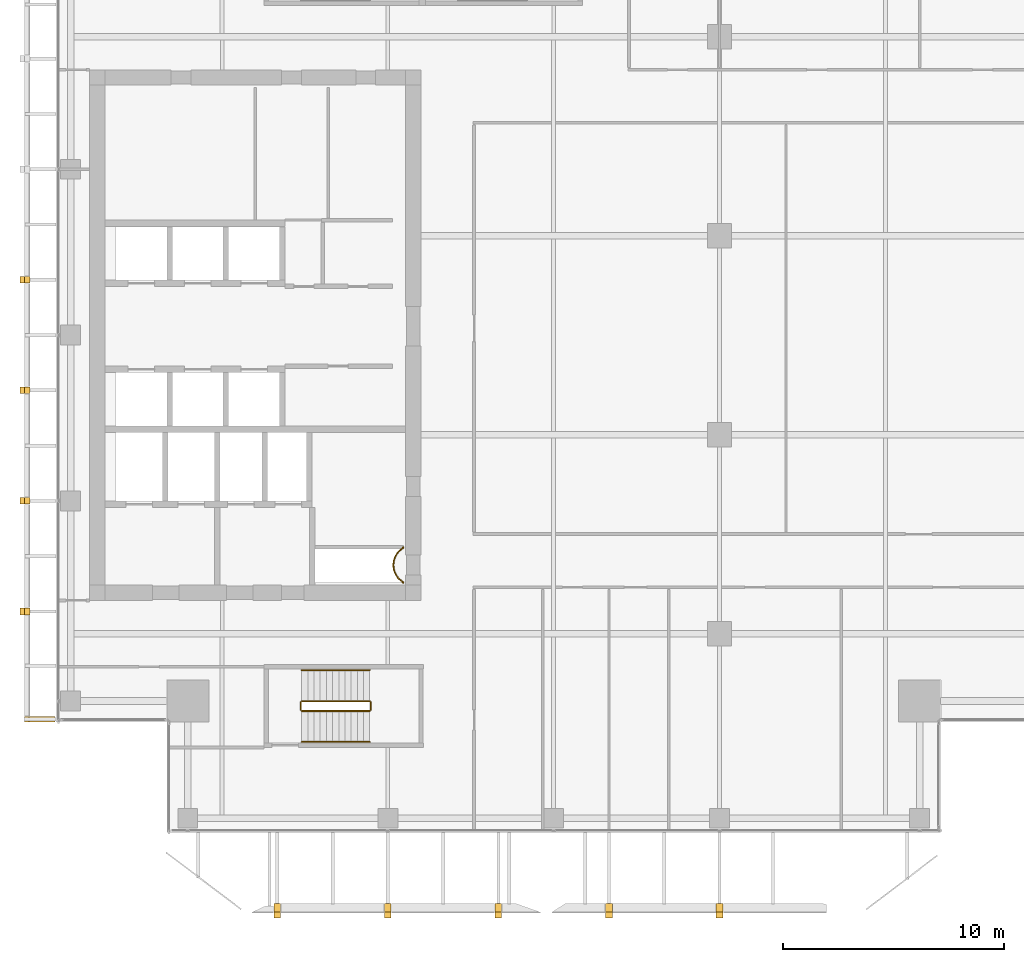
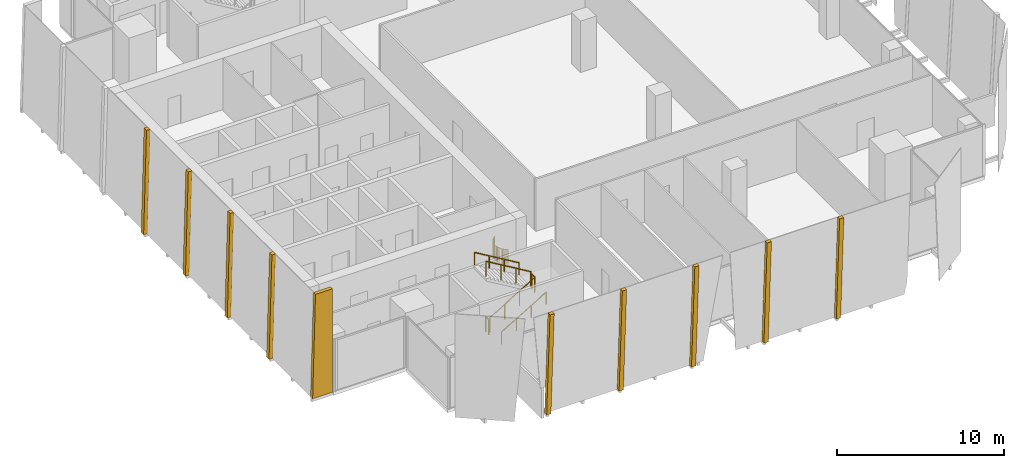
# One storey, part 32 of 35: 10 coverings, 7 railings.
"""IFC4 building model written with IfcOpenShell, lengths in metres."""

import ifcopenshell
import ifcopenshell.guid

model = None  # the IFC model being written
_history = None  # IfcOwnerHistory: only IFC2X3 demands one
_inside = {}  # id of a spatial element -> (the spatial element, [elements in it])
_under = {}  # id of a project, library or spatial element -> (it, [spatial elements below it])
_declared = {}  # id of a project -> (the project, [libraries it declares])
_typed = {}  # id of a type object -> (the type object, [elements of that type])
_made_of = {}  # id of a material, layer set ... -> (it, [elements and type objects made of it])


def new_model(schema):
    """Start an empty IFC model of exactly this schema.

    Asked for "IFC4X3", IfcOpenShell would pick the latest addendum, in which some entities
    have other attributes; the version numbers below select the first issue.
    IFC2X3 requires an IfcOwnerHistory on every rooted entity: one is made here for all.
    """
    global model, _history
    if schema == "IFC4X3":
        model = ifcopenshell.file(schema_version=(4, 3, 0, 0))
    else:
        model = ifcopenshell.file(schema=schema)
    _inside.clear()
    _under.clear()
    _declared.clear()
    _typed.clear()
    _made_of.clear()
    _history = None
    if model.schema == "IFC2X3":
        org = make("IfcOrganization", Name="unknown")
        user = make(
            "IfcPersonAndOrganization",
            ThePerson=make("IfcPerson", FamilyName="unknown"),
            TheOrganization=org,
        )
        app = make(
            "IfcApplication",
            ApplicationDeveloper=org,
            Version="unknown",
            ApplicationFullName="unknown",
            ApplicationIdentifier="unknown",
        )
        _history = make(
            "IfcOwnerHistory",
            OwningUser=user,
            OwningApplication=app,
            ChangeAction="ADDED",
            CreationDate=0,
        )
    return model


def make(cls, **values):
    """One entity of the class cls with the attributes given. An attribute that is None is left unset."""
    return model.create_entity(
        cls, **{name: value for name, value in values.items() if value is not None}
    )


def rooted(cls, **values):
    """An entity with a GlobalId (a new one), such as an element, a storey or a relation."""
    return make(cls, GlobalId=ifcopenshell.guid.new(), OwnerHistory=_history, **values)


def si_unit(unit_type, name, prefix=None):
    """IfcSIUnit, for example si_unit("LENGTHUNIT", "METRE", prefix="MILLI")."""
    return make("IfcSIUnit", UnitType=unit_type, Prefix=prefix, Name=name)


def assignment(units):
    """IfcUnitAssignment: the units of a project."""
    return None if units is None else make("IfcUnitAssignment", Units=units)


def point(xyz):
    """IfcCartesianPoint."""
    return None if xyz is None else make("IfcCartesianPoint", Coordinates=xyz)


def direction(xyz):
    """IfcDirection."""
    return None if xyz is None else make("IfcDirection", DirectionRatios=xyz)


def frame(location, z_axis=None, x_axis=None):
    """IfcAxis2Placement3D, a coordinate frame: its origin and axes. An axis left out is left unset."""
    return make(
        "IfcAxis2Placement3D",
        Location=point(location),
        Axis=direction(z_axis),
        RefDirection=direction(x_axis),
    )


def frame_2d(location, x_axis=None):
    """IfcAxis2Placement2D, a coordinate frame in the plane: its origin and x axis."""
    return make(
        "IfcAxis2Placement2D", Location=point(location), RefDirection=direction(x_axis)
    )


def origin():
    """The frame at (0, 0, 0) with its axes left unset."""
    return frame((0.0, 0.0, 0.0))


def origin_2d():
    """The frame at (0, 0) in the plane with its x axis left unset."""
    return frame_2d((0.0, 0.0))


def place(relative_to, where):
    """IfcLocalPlacement: puts the frame where relative to a parent placement (None: the world)."""
    return make(
        "IfcLocalPlacement", PlacementRelTo=relative_to, RelativePlacement=where
    )


def context(
    kind, dimensions, precision=None, world=None, true_north=None, identifier=None
):
    """IfcGeometricRepresentationContext, for example the 3D "Model" context."""
    return make(
        "IfcGeometricRepresentationContext",
        ContextIdentifier=identifier,
        ContextType=kind,
        CoordinateSpaceDimension=dimensions,
        Precision=precision,
        WorldCoordinateSystem=world,
        TrueNorth=true_north,
    )


def subcontext(parent, identifier, kind, view, scale=None):
    """IfcGeometricRepresentationSubContext, for example "Body" below "Model"."""
    return make(
        "IfcGeometricRepresentationSubContext",
        ContextIdentifier=identifier,
        ContextType=kind,
        ParentContext=parent,
        TargetScale=scale,
        TargetView=view,
    )


def project(units=None, contexts=None):
    """IfcProject with its units and contexts."""
    return rooted(
        "IfcProject",
        Name="project",
        RepresentationContexts=contexts,
        UnitsInContext=assignment(units),
    )


def spatial(cls, under=None, at=None, **own):
    """A site, building, storey or space (cls), placed at a placement, below another one or the project."""
    s = rooted(cls, ObjectPlacement=at, **own)
    if under is not None:
        _under.setdefault(under.id(), (under, []))[1].append(s)
    return s


def polyline(points):
    """IfcPolyline through the points."""
    return make("IfcPolyline", Points=[point(p) for p in points])


def profile(cls, at=None, kind="AREA", **sizes):
    """A parametric profile (cls). Its sizes go by their IFC names, for example OverallWidth=200.0."""
    return make(cls, ProfileType=kind, Position=at, **sizes)


def circle(**sizes):
    """IfcCircleProfileDef."""
    return profile("IfcCircleProfileDef", **sizes)


def outline(outer, holes=None, kind="AREA"):
    """IfcArbitraryClosedProfileDef: a profile drawn as a closed curve; with holes, ...WithVoids."""
    if holes is None:
        return make("IfcArbitraryClosedProfileDef", ProfileType=kind, OuterCurve=outer)
    return make(
        "IfcArbitraryProfileDefWithVoids",
        ProfileType=kind,
        OuterCurve=outer,
        InnerCurves=holes,
    )


def extrude(swept, where, along, depth):
    """IfcExtrudedAreaSolid: the profile swept, set in the frame where, extruded along a direction by depth."""
    return make(
        "IfcExtrudedAreaSolid",
        SweptArea=swept,
        Position=where,
        ExtrudedDirection=direction(along),
        Depth=depth,
    )


def shape(context_of_items, identifier, shape_type, items):
    """IfcShapeRepresentation: the items that make up one representation, for example the "Body"."""
    return make(
        "IfcShapeRepresentation",
        ContextOfItems=context_of_items,
        RepresentationIdentifier=identifier,
        RepresentationType=shape_type,
        Items=items,
    )


def source(mapping_origin, context_of_items, identifier, shape_type, items):
    """IfcRepresentationMap: a shape defined once, which mapped items show again and again."""
    return make(
        "IfcRepresentationMap",
        MappingOrigin=mapping_origin,
        MappedRepresentation=shape(context_of_items, identifier, shape_type, items),
    )


def transform(
    local_origin,
    x_axis=None,
    y_axis=None,
    z_axis=None,
    scale=None,
    scale2=None,
    scale3=None,
    uniform=True,
):
    """IfcCartesianTransformationOperator3D, or its non-uniform kind. x_axis, y_axis, z_axis: its Axis1, 2, 3."""
    if uniform:
        return make(
            "IfcCartesianTransformationOperator3D",
            Axis1=direction(x_axis),
            Axis2=direction(y_axis),
            LocalOrigin=point(local_origin),
            Scale=scale,
            Axis3=direction(z_axis),
        )
    return make(
        "IfcCartesianTransformationOperator3DnonUniform",
        Axis1=direction(x_axis),
        Axis2=direction(y_axis),
        LocalOrigin=point(local_origin),
        Scale=scale,
        Axis3=direction(z_axis),
        Scale2=scale2,
        Scale3=scale3,
    )


def mapped(mapping_source, mapping_target):
    """IfcMappedItem: shows the shape of a source again, moved by a transform."""
    return make(
        "IfcMappedItem", MappingSource=mapping_source, MappingTarget=mapping_target
    )


def material(Name=None, Category=None):
    """IfcMaterial."""
    return make("IfcMaterial", Name=Name, Category=Category)


def layer(
    of_material, thickness, ventilated=None, Name=None, Category=None, Priority=None
):
    """IfcMaterialLayer: one layer of a wall or slab, of a material (None: an air gap)."""
    return make(
        "IfcMaterialLayer",
        Material=of_material,
        LayerThickness=thickness,
        IsVentilated=ventilated,
        Name=Name,
        Category=Category,
        Priority=Priority,
    )


def layer_set(layers, Name=None):
    """IfcMaterialLayerSet."""
    return make("IfcMaterialLayerSet", MaterialLayers=layers, LayerSetName=Name)


def made_of(thing, what):
    """Note that an element or type object is made of a material, layer set ...; save() writes the relation."""
    if what is not None:
        _made_of.setdefault(what.id(), (what, []))[1].append(thing)
    return thing


def type_object(cls, material=None, **own):
    """A type object (cls), such as IfcWallType, which elements share."""
    return made_of(rooted(cls, **own), material)


def element(
    cls,
    number,
    at=None,
    inside=None,
    cuts=None,
    type_object=None,
    material=None,
    context=None,
    identifier="Body",
    shape_type=None,
    held_by="IfcProductDefinitionShape",
    body=None,
    shapes=None,
    **own,
):
    """One element of the class cls, such as IfcWall. Its Tag is "e" and its number.

    at: its placement. inside: the storey or other place that contains it. cuts: it is an
    opening in that element (IfcRelVoidsElement). A single representation is given by context,
    identifier, shape_type and body (its items); several are given by shapes. held_by: the class
    of the entity that holds the representations. save() writes the other relations.
    """
    e = rooted(cls, Tag="e%d" % number, ObjectPlacement=at, **own)
    if body is not None:
        shapes = [shape(context, identifier, shape_type, body)]
    if shapes is not None:
        e.Representation = make(held_by, Representations=shapes)
    if inside is not None:
        _inside.setdefault(inside.id(), (inside, []))[1].append(e)
    if cuts is not None:
        rooted(
            "IfcRelVoidsElement", RelatingBuildingElement=cuts, RelatedOpeningElement=e
        )
    if type_object is not None:
        _typed.setdefault(type_object.id(), (type_object, []))[1].append(e)
    return made_of(e, material)


def aggregate(whole, parts):
    """IfcRelAggregates: a whole, such as a stair, and the parts it consists of."""
    return rooted("IfcRelAggregates", RelatingObject=whole, RelatedObjects=parts)


def save(model, path):
    """Write the relations noted so far, then the file.

    IfcRelAggregates (storeys below a building ...), IfcRelContainedInSpatialStructure (elements
    in a storey), IfcRelDefinesByType, IfcRelAssociatesMaterial and IfcRelDeclares: one each for
    every whole, place, type object, material and project.
    """
    for whole, parts in _under.values():
        aggregate(whole, parts)
    for where, things in _inside.values():
        rooted(
            "IfcRelContainedInSpatialStructure",
            RelatedElements=things,
            RelatingStructure=where,
        )
    for kind, things in _typed.values():
        rooted("IfcRelDefinesByType", RelatedObjects=things, RelatingType=kind)
    for what, things in _made_of.values():
        rooted("IfcRelAssociatesMaterial", RelatedObjects=things, RelatingMaterial=what)
    for by, libraries in _declared.values():
        rooted("IfcRelDeclares", RelatingContext=by, RelatedDefinitions=libraries)
    model.write(path)


model = new_model("IFC4")

# Units and contexts
model_context = context("Model", 3, precision=1e-05, world=origin(), true_north=direction((0.0, 1.0)))
body_context = subcontext(model_context, "Body", "Model", "MODEL_VIEW")
ifc_project = project(units=[si_unit("LENGTHUNIT", "METRE"), si_unit("AREAUNIT", "SQUARE_METRE"), si_unit("VOLUMEUNIT", "CUBIC_METRE"), si_unit("PLANEANGLEUNIT", "RADIAN"), si_unit("MASSUNIT", "GRAM", prefix="KILO")], contexts=[model_context])

# Site, building, storey
site_placement = place(None, origin())
site = spatial("IfcSite", under=ifc_project, at=site_placement, CompositionType="ELEMENT")
building_placement = place(site_placement, origin())
building = spatial("IfcBuilding", under=site, at=building_placement, Name="Khomas Fold Tower", CompositionType="ELEMENT")
storey_placement = place(building_placement, frame((0.0, 0.0, 266.199951171875)))
storey = spatial("IfcBuildingStorey", under=building, at=storey_placement, Name="L60", CompositionType="ELEMENT", Elevation=266.199951171875)

# Coverings
ifc_material_1 = material(Name="Natural stone cladding", Category="masonry")
ifc_layer = layer(ifc_material_1, 0.25)
ifc_layer_set = layer_set([ifc_layer], Name="Natural stone cladding")
covering_type = type_object("IfcCoveringType", Name="SK-Karibib marble stone mullion", PredefinedType="CLADDING", material=ifc_layer_set)
for number, where, z_axis, x_axis, name in (
    (1, (14.35009765625, 1.2939453125, 0.0), (0.0, 0.998630733741, 0.052313073198), (0.0, -0.052313073198, 0.998630733741), "OUTER SKIN mullion L60 SM099-3"),
    (2, (19.35009765625, 1.2939453125, 0.0), (0.0, 0.998630733741, 0.052313073198), (0.0, -0.052313073198, 0.998630733741), "OUTER SKIN mullion L60 SM100-5"),
    (3, (24.35009765625, 1.2939453125, 0.0), (0.0, 0.998630733741, 0.052313073198), (0.0, -0.052313073198, 0.998630733741), "OUTER SKIN mullion L60 SM101-7"),
    (4, (29.35009765625, 1.2939453125, 0.0), (0.0, 0.998630733741, 0.052313073198), (0.0, -0.052313073198, 0.998630733741), "OUTER SKIN mullion L60 SM102-10"),
    (5, (34.35009765625, 1.2939453125, 0.0), (0.0, 0.998630733741, 0.052313073198), (0.0, -0.052313073198, 0.998630733741), "OUTER SKIN mullion L60 SM103-12"),
):
    element("IfcCovering", number, at=place(storey_placement, frame(where, z_axis=z_axis, x_axis=x_axis)), inside=storey, type_object=covering_type, Name=name, PredefinedType="CLADDING", context=body_context, shape_type="SweptSolid", body=[
        extrude(outline(polyline([(0.0, 0.0), (7.560401030158403, 0.0), (7.560401030158403, 0.29980468750000006), (0.0, 0.29980468750000006), (0.0, 0.0)])), origin(), (0.0, 0.0, -1.0), 0.25),
    ])
for number, where, z_axis, x_axis, name in (
    (6, (2.86279296875, 14.35009765625, 0.006591796875), (-0.99965715546, 0.0, 0.026183421048), (0.0, 1.0, 0.0), "OUTER SKIN mullion L60 W2"),
    (7, (2.86279296875, 19.35009765625, 0.006591796875), (-0.99965715546, 0.0, 0.026183421048), (0.0, 1.0, 0.0), "OUTER SKIN mullion L60 W4"),
    (8, (2.86279296875, 24.35009765625, 0.006591796875), (-0.99965715546, 0.0, 0.026183421048), (0.0, 1.0, 0.0), "OUTER SKIN mullion L60 W6"),
    (9, (2.86279296875, 29.35009765625, 0.006591796875), (-0.99965715546, 0.0, 0.026183421048), (0.0, 1.0, 0.0), "OUTER SKIN mullion L60 W8"),
):
    element("IfcCovering", number, at=place(storey_placement, frame(where, z_axis=z_axis, x_axis=x_axis)), inside=storey, type_object=covering_type, Name=name, PredefinedType="CLADDING", context=body_context, shape_type="SweptSolid", body=[
        extrude(outline(polyline([(0.0, 0.0), (0.2998046875, 0.0), (0.2998046875, -7.552638208898188), (0.0, -7.552638208898188), (0.0, 0.0)])), origin(), (0.0, 0.0, -1.0), 0.25),
    ])
covering_placement = place(storey_placement, frame((4.449951171875, 9.5, 7.550048828125), z_axis=(0.0, -1.0, 0.0), x_axis=(-1.0, 0.0, 0.0)))
element("IfcCovering", 10, at=covering_placement, inside=storey, type_object=covering_type, Name="OUTER SKIN return L60 W1", PredefinedType="CLADDING", context=body_context, shape_type="SweptSolid", body=[
    extrude(outline(polyline([(0.0, 0.0), (1.179443359375, 0.0), (1.377197265625, 7.550048828125), (0.0, 7.550048828125), (0.0, 0.0)])), origin(), (0.0, 0.0, -1.0), 0.25),
])

# Railings
ifc_material_2 = material(Name="Steel balustrade", Category="steel")
railing_type_1 = type_object("IfcRailingType", Name="Stair guard", PredefinedType="GUARDRAIL", material=ifc_material_2)
shared_shape_1 = source(origin(), body_context, "Body", "SweptSolid", [
    extrude(circle(Radius=0.02392578125, at=origin_2d()), frame((0.0, 0.0, 1.076171875), z_axis=(0.0, 1.0, 0.0), x_axis=(-1.0, 0.0, 0.0)), (0.0, 0.0, 1.0), 0.349853515625),
    extrude(circle(Radius=0.02099609375, at=origin_2d()), origin(), (0.0, 0.0, 1.0), 1.052001953125),
    extrude(circle(Radius=0.02099609375, at=origin_2d()), frame((0.0, 0.349853515625, 0.0)), (0.0, 0.0, 1.0), 1.052001953125),
])
for number, where, name in (
    (11, (18.72998046875, 10.050048828125, 2.0), "L60 ST2 stair guard 2"),
    (12, (15.550048828125, 10.050048828125, 0.0), "L60 ST2 stair guard 4"),
):
    element("IfcRailing", number, at=place(storey_placement, frame(where)), inside=storey, type_object=railing_type_1, Name=name, PredefinedType="GUARDRAIL", context=body_context, shape_type="MappedRepresentation", body=[
        mapped(shared_shape_1, transform((0.0, 0.0, 0.0))),
    ])
shared_shape_2 = source(origin(), body_context, "Body", "SweptSolid", [
    extrude(circle(Radius=0.02392578125, at=origin_2d()), frame((0.0, 0.0, 1.076171875), z_axis=(0.859290745958, 0.0, 0.51148745235), x_axis=(0.0, 1.0, 0.0)), (0.0, 0.0, 1.0), 3.584228515625),
    extrude(circle(Radius=0.02099609375, at=origin_2d()), origin(), (0.0, 0.0, 1.0), 1.052001953125),
    extrude(circle(Radius=0.02099609375, at=origin_2d()), frame((1.026611328125, 0.0, 0.611083984375)), (0.0, 0.0, 1.0), 1.052001953125),
    extrude(circle(Radius=0.02099609375, at=origin_2d()), frame((2.05322265625, 0.0, 1.22216796875)), (0.0, 0.0, 1.0), 1.052001953125),
    extrude(circle(Radius=0.02099609375, at=origin_2d()), frame((3.079833984375, 0.0, 1.833251953125)), (0.0, 0.0, 1.0), 1.052001953125),
])
railing_1_placement = place(storey_placement, frame((15.60009765625, 10.0, 0.166748046875)))
element("IfcRailing", 13, at=railing_1_placement, inside=storey, type_object=railing_type_1, Name="L60 ST2 stair guard 1", PredefinedType="GUARDRAIL", context=body_context, shape_type="MappedRepresentation", body=[
    mapped(shared_shape_2, transform((0.0, 0.0, 0.0))),
])
shared_shape_3 = source(origin(), body_context, "Body", "SweptSolid", [
    extrude(circle(Radius=0.02392578125, at=origin_2d()), frame((0.0, 0.0, 1.076171875), z_axis=(-0.859290745958, 0.0, 0.51148745235), x_axis=(0.0, -1.0, 0.0)), (0.0, 0.0, 1.0), 3.584228515625),
    extrude(circle(Radius=0.02099609375, at=origin_2d()), origin(), (0.0, 0.0, 1.0), 1.052001953125),
    extrude(circle(Radius=0.02099609375, at=origin_2d()), frame((-1.026611328125, 0.0, 0.611083984375)), (0.0, 0.0, 1.0), 1.052001953125),
    extrude(circle(Radius=0.02099609375, at=origin_2d()), frame((-2.05322265625, 0.0, 1.22216796875)), (0.0, 0.0, 1.0), 1.052001953125),
    extrude(circle(Radius=0.02099609375, at=origin_2d()), frame((-3.079833984375, 0.0, 1.833251953125)), (0.0, 0.0, 1.0), 1.052001953125),
])
railing_2_placement = place(storey_placement, frame((18.679931640625, 10.449951171875, 2.166748046875)))
element("IfcRailing", 14, at=railing_2_placement, inside=storey, type_object=railing_type_1, Name="L60 ST2 stair guard 3", PredefinedType="GUARDRAIL", context=body_context, shape_type="MappedRepresentation", body=[
    mapped(shared_shape_3, transform((0.0, 0.0, 0.0))),
])
ifc_material_3 = material(Name="Steel handrail", Category="steel")
railing_type_2 = type_object("IfcRailingType", Name="Stair handrail", PredefinedType="HANDRAIL", material=ifc_material_3)
shared_shape_4 = source(origin(), body_context, "Body", "SweptSolid", [
    extrude(circle(Radius=0.02392578125, at=origin_2d()), frame((0.0, 0.0, 0.8759765625), z_axis=(0.859290745958, 0.0, 0.51148745235), x_axis=(0.0, 1.0, 0.0)), (0.0, 0.0, 1.0), 3.584228515625),
    extrude(circle(Radius=0.02099609375, at=origin_2d()), origin(), (0.0, 0.0, 1.0), 0.851806640625),
    extrude(circle(Radius=0.02099609375, at=origin_2d()), frame((1.026611328125, 0.0, 0.611083984375)), (0.0, 0.0, 1.0), 0.851806640625),
    extrude(circle(Radius=0.02099609375, at=origin_2d()), frame((2.05322265625, 0.0, 1.22216796875)), (0.0, 0.0, 1.0), 0.851806640625),
    extrude(circle(Radius=0.02099609375, at=origin_2d()), frame((3.079833984375, 0.0, 1.833251953125)), (0.0, 0.0, 1.0), 0.851806640625),
])
railing_3_placement = place(storey_placement, frame((15.60009765625, 8.60009765625, 0.166748046875)))
element("IfcRailing", 15, at=railing_3_placement, inside=storey, type_object=railing_type_2, Name="L60 ST2 stair handrail 1", PredefinedType="HANDRAIL", context=body_context, shape_type="MappedRepresentation", body=[
    mapped(shared_shape_4, transform((0.0, 0.0, 0.0))),
])
shared_shape_5 = source(origin(), body_context, "Body", "SweptSolid", [
    extrude(circle(Radius=0.02392578125, at=origin_2d()), frame((0.0, 0.0, 0.8759765625), z_axis=(-0.859290745958, 0.0, 0.51148745235), x_axis=(0.0, -1.0, 0.0)), (0.0, 0.0, 1.0), 3.584228515625),
    extrude(circle(Radius=0.02099609375, at=origin_2d()), origin(), (0.0, 0.0, 1.0), 0.851806640625),
    extrude(circle(Radius=0.02099609375, at=origin_2d()), frame((-1.026611328125, 0.0, 0.611083984375)), (0.0, 0.0, 1.0), 0.851806640625),
    extrude(circle(Radius=0.02099609375, at=origin_2d()), frame((-2.05322265625, 0.0, 1.22216796875)), (0.0, 0.0, 1.0), 0.851806640625),
    extrude(circle(Radius=0.02099609375, at=origin_2d()), frame((-3.079833984375, 0.0, 1.833251953125)), (0.0, 0.0, 1.0), 0.851806640625),
])
railing_4_placement = place(storey_placement, frame((18.679931640625, 11.85009765625, 2.166748046875)))
element("IfcRailing", 16, at=railing_4_placement, inside=storey, type_object=railing_type_2, Name="L60 ST2 stair handrail 2", PredefinedType="HANDRAIL", context=body_context, shape_type="MappedRepresentation", body=[
    mapped(shared_shape_5, transform((0.0, 0.0, 0.0))),
])
ifc_material_4 = material(Name="Steel balustrade", Category="steel")
railing_type_3 = type_object("IfcRailingType", Name="Shaft guard", PredefinedType="GUARDRAIL", material=ifc_material_4)
shared_shape_6 = source(origin(), body_context, "Body", "SweptSolid", [
    extrude(circle(Radius=0.02490234375, at=origin_2d()), frame((0.0, 0.0, 1.0751953125), z_axis=(1.0, 0.0, 0.0), x_axis=(0.0, 1.0, 0.0)), (0.0, 0.0, 1.0), 0.02197265625),
    extrude(circle(Radius=0.02490234375, at=origin_2d()), frame((0.02197265625, 0.0, 1.0751953125), z_axis=(0.0, -1.0, 0.0), x_axis=(1.0, 0.0, 0.0)), (0.0, 0.0, 1.0), 0.021484375),
    extrude(circle(Radius=0.02490234375, at=origin_2d()), frame((0.02197265625, -0.021484375, 1.0751953125), z_axis=(-0.857492925713, -0.514495755428, 0.0), x_axis=(0.514495755428, -0.857492925713, 0.0)), (0.0, 0.0, 1.0), 0.058349609375),
    extrude(circle(Radius=0.02490234375, at=origin_2d()), frame((-0.028076171875, -0.051513671875, 1.0751953125), z_axis=(-0.801986734315, -0.597341843489, 0.0), x_axis=(0.597341843489, -0.801986734315, 0.0)), (0.0, 0.0, 1.0), 0.08837890625),
    extrude(circle(Radius=0.02490234375, at=origin_2d()), frame((-0.098876953125, -0.104248046875, 1.0751953125), z_axis=(-0.740814996175, -0.671709119666, 0.0), x_axis=(0.671709119666, -0.740814996175, 0.0)), (0.0, 0.0, 1.0), 0.08837890625),
    extrude(circle(Radius=0.02490234375, at=origin_2d()), frame((-0.164306640625, -0.16357421875, 1.0751953125), z_axis=(-0.671709119666, -0.740814996175, 0.0), x_axis=(0.740814996175, -0.671709119666, 0.0)), (0.0, 0.0, 1.0), 0.08837890625),
    extrude(circle(Radius=0.02490234375, at=origin_2d()), frame((-0.2236328125, -0.22900390625, 1.0751953125), z_axis=(-0.597341843489, -0.801986734315, 0.0), x_axis=(0.801986734315, -0.597341843489, 0.0)), (0.0, 0.0, 1.0), 0.08837890625),
    extrude(circle(Radius=0.02490234375, at=origin_2d()), frame((-0.2763671875, -0.2998046875, 1.0751953125), z_axis=(-0.514495755428, -0.857492925713, 0.0), x_axis=(0.857492925713, -0.514495755428, 0.0)), (0.0, 0.0, 1.0), 0.08837890625),
    extrude(circle(Radius=0.02490234375, at=origin_2d()), frame((-0.32177734375, -0.37548828125, 1.0751953125), z_axis=(-0.424999439989, -0.905193612444, 0.0), x_axis=(0.905193612444, -0.424999439989, 0.0)), (0.0, 0.0, 1.0), 0.08837890625),
    extrude(circle(Radius=0.02490234375, at=origin_2d()), frame((-0.359375, -0.45556640625, 1.0751953125), z_axis=(-0.337738989679, -0.941239807302, 0.0), x_axis=(0.941239807302, -0.337738989679, 0.0)), (0.0, 0.0, 1.0), 0.088134765625),
    extrude(circle(Radius=0.02490234375, at=origin_2d()), frame((-0.38916015625, -0.53857421875, 1.0751953125), z_axis=(-0.243185799972, -0.969979724887, 0.0), x_axis=(0.969979724887, -0.243185799972, 0.0)), (0.0, 0.0, 1.0), 0.08837890625),
    extrude(circle(Radius=0.02490234375, at=origin_2d()), frame((-0.41064453125, -0.624267578125, 1.0751953125), z_axis=(-0.146448518259, -0.989218293148, 0.0), x_axis=(0.989218293148, -0.146448518259, 0.0)), (0.0, 0.0, 1.0), 0.08837890625),
    extrude(circle(Radius=0.02490234375, at=origin_2d()), frame((-0.423583984375, -0.711669921875, 1.0751953125), z_axis=(-0.049799629132, -0.998759228712, 0.0), x_axis=(0.998759228712, -0.049799629132, 0.0)), (0.0, 0.0, 1.0), 0.088134765625),
    extrude(circle(Radius=0.02490234375, at=origin_2d()), frame((-0.427978515625, -0.7998046875, 1.0751953125), z_axis=(0.049662400856, -0.998766061669, 0.0), x_axis=(0.998766061669, 0.049662400856, 0.0)), (0.0, 0.0, 1.0), 0.08837890625),
    extrude(circle(Radius=0.02490234375, at=origin_2d()), frame((-0.423583984375, -0.88818359375, 1.0751953125), z_axis=(0.146448518259, -0.989218293148, 0.0), x_axis=(0.989218293148, 0.146448518259, 0.0)), (0.0, 0.0, 1.0), 0.08837890625),
    extrude(circle(Radius=0.02490234375, at=origin_2d()), frame((-0.41064453125, -0.9755859375, 1.0751953125), z_axis=(0.243185799972, -0.969979724887, 0.0), x_axis=(0.969979724887, 0.243185799972, 0.0)), (0.0, 0.0, 1.0), 0.08837890625),
    extrude(circle(Radius=0.02490234375, at=origin_2d()), frame((-0.38916015625, -1.061279296875, 1.0751953125), z_axis=(0.337738989679, -0.941239807302, 0.0), x_axis=(0.941239807302, 0.337738989679, 0.0)), (0.0, 0.0, 1.0), 0.088134765625),
    extrude(circle(Radius=0.02490234375, at=origin_2d()), frame((-0.359375, -1.144287109375, 1.0751953125), z_axis=(0.426063493689, -0.904693262573, 0.0), x_axis=(0.904693262573, 0.426063493689, 0.0)), (0.0, 0.0, 1.0), 0.088134765625),
    extrude(circle(Radius=0.02490234375, at=origin_2d()), frame((-0.32177734375, -1.22412109375, 1.0751953125), z_axis=(0.514495755428, -0.857492925713, 0.0), x_axis=(0.857492925713, 0.514495755428, 0.0)), (0.0, 0.0, 1.0), 0.08837890625),
    extrude(circle(Radius=0.02490234375, at=origin_2d()), frame((-0.2763671875, -1.2998046875, 1.0751953125), z_axis=(0.596019138224, -0.802970227885, 0.0), x_axis=(0.802970227885, 0.596019138224, 0.0)), (0.0, 0.0, 1.0), 0.08837890625),
    extrude(circle(Radius=0.02490234375, at=origin_2d()), frame((-0.2236328125, -1.370849609375, 1.0751953125), z_axis=(0.671709119666, -0.740814996175, 0.0), x_axis=(0.740814996175, 0.671709119666, 0.0)), (0.0, 0.0, 1.0), 0.08837890625),
    extrude(circle(Radius=0.02490234375, at=origin_2d()), frame((-0.164306640625, -1.436279296875, 1.0751953125), z_axis=(0.740814996175, -0.671709119666, 0.0), x_axis=(0.671709119666, 0.740814996175, 0.0)), (0.0, 0.0, 1.0), 0.08837890625),
    extrude(circle(Radius=0.02490234375, at=origin_2d()), frame((-0.098876953125, -1.49560546875, 1.0751953125), z_axis=(0.803311771616, -0.595558727233, 0.0), x_axis=(0.595558727233, 0.803311771616, 0.0)), (0.0, 0.0, 1.0), 0.088134765625),
    extrude(circle(Radius=0.02490234375, at=origin_2d()), frame((-0.028076171875, -1.548095703125, 1.0751953125), z_axis=(0.857492925713, -0.514495755428, 0.0), x_axis=(0.514495755428, 0.857492925713, 0.0)), (0.0, 0.0, 1.0), 0.058349609375),
    extrude(circle(Radius=0.02490234375, at=origin_2d()), frame((0.02197265625, -1.578125, 1.0751953125), z_axis=(0.0, -1.0, 0.0), x_axis=(1.0, 0.0, 0.0)), (0.0, 0.0, 1.0), 0.021728515625),
    extrude(circle(Radius=0.02490234375, at=origin_2d()), frame((0.02197265625, -1.599853515625, 1.0751953125), z_axis=(-1.0, 0.0, 0.0), x_axis=(0.0, -1.0, 0.0)), (0.0, 0.0, 1.0), 0.02197265625),
    extrude(circle(Radius=0.02001953125, at=origin_2d()), origin(), (0.0, 0.0, 1.0), 1.050048828125),
    extrude(circle(Radius=0.02001953125, at=origin_2d()), frame((0.02197265625, 0.0, 0.0)), (0.0, 0.0, 1.0), 1.050048828125),
    extrude(circle(Radius=0.02001953125, at=origin_2d()), frame((0.02197265625, -0.021484375, 0.0)), (0.0, 0.0, 1.0), 1.050048828125),
    extrude(circle(Radius=0.02001953125, at=origin_2d()), frame((-0.028076171875, -0.051513671875, 0.0)), (0.0, 0.0, 1.0), 1.050048828125),
    extrude(circle(Radius=0.02001953125, at=origin_2d()), frame((-0.098876953125, -0.104248046875, 0.0)), (0.0, 0.0, 1.0), 1.050048828125),
    extrude(circle(Radius=0.02001953125, at=origin_2d()), frame((-0.164306640625, -0.16357421875, 0.0)), (0.0, 0.0, 1.0), 1.050048828125),
    extrude(circle(Radius=0.02001953125, at=origin_2d()), frame((-0.2236328125, -0.22900390625, 0.0)), (0.0, 0.0, 1.0), 1.050048828125),
    extrude(circle(Radius=0.02001953125, at=origin_2d()), frame((-0.2763671875, -0.2998046875, 0.0)), (0.0, 0.0, 1.0), 1.050048828125),
    extrude(circle(Radius=0.02001953125, at=origin_2d()), frame((-0.32177734375, -0.37548828125, 0.0)), (0.0, 0.0, 1.0), 1.050048828125),
    extrude(circle(Radius=0.02001953125, at=origin_2d()), frame((-0.359375, -0.45556640625, 0.0)), (0.0, 0.0, 1.0), 1.050048828125),
    extrude(circle(Radius=0.02001953125, at=origin_2d()), frame((-0.38916015625, -0.53857421875, 0.0)), (0.0, 0.0, 1.0), 1.050048828125),
    extrude(circle(Radius=0.02001953125, at=origin_2d()), frame((-0.41064453125, -0.624267578125, 0.0)), (0.0, 0.0, 1.0), 1.050048828125),
    extrude(circle(Radius=0.02001953125, at=origin_2d()), frame((-0.423583984375, -0.711669921875, 0.0)), (0.0, 0.0, 1.0), 1.050048828125),
    extrude(circle(Radius=0.02001953125, at=origin_2d()), frame((-0.427978515625, -0.7998046875, 0.0)), (0.0, 0.0, 1.0), 1.050048828125),
    extrude(circle(Radius=0.02001953125, at=origin_2d()), frame((-0.423583984375, -0.88818359375, 0.0)), (0.0, 0.0, 1.0), 1.050048828125),
    extrude(circle(Radius=0.02001953125, at=origin_2d()), frame((-0.41064453125, -0.9755859375, 0.0)), (0.0, 0.0, 1.0), 1.050048828125),
    extrude(circle(Radius=0.02001953125, at=origin_2d()), frame((-0.38916015625, -1.061279296875, 0.0)), (0.0, 0.0, 1.0), 1.050048828125),
    extrude(circle(Radius=0.02001953125, at=origin_2d()), frame((-0.359375, -1.144287109375, 0.0)), (0.0, 0.0, 1.0), 1.050048828125),
    extrude(circle(Radius=0.02001953125, at=origin_2d()), frame((-0.32177734375, -1.22412109375, 0.0)), (0.0, 0.0, 1.0), 1.050048828125),
    extrude(circle(Radius=0.02001953125, at=origin_2d()), frame((-0.2763671875, -1.2998046875, 0.0)), (0.0, 0.0, 1.0), 1.050048828125),
    extrude(circle(Radius=0.02001953125, at=origin_2d()), frame((-0.2236328125, -1.370849609375, 0.0)), (0.0, 0.0, 1.0), 1.050048828125),
    extrude(circle(Radius=0.02001953125, at=origin_2d()), frame((-0.164306640625, -1.436279296875, 0.0)), (0.0, 0.0, 1.0), 1.050048828125),
    extrude(circle(Radius=0.02001953125, at=origin_2d()), frame((-0.098876953125, -1.49560546875, 0.0)), (0.0, 0.0, 1.0), 1.050048828125),
    extrude(circle(Radius=0.02001953125, at=origin_2d()), frame((-0.028076171875, -1.548095703125, 0.0)), (0.0, 0.0, 1.0), 1.050048828125),
    extrude(circle(Radius=0.02001953125, at=origin_2d()), frame((0.02197265625, -1.578125, 0.0)), (0.0, 0.0, 1.0), 1.050048828125),
    extrude(circle(Radius=0.02001953125, at=origin_2d()), frame((0.02197265625, -1.599853515625, 0.0)), (0.0, 0.0, 1.0), 1.050048828125),
    extrude(circle(Radius=0.02001953125, at=origin_2d()), frame((0.0, -1.599853515625, 0.0)), (0.0, 0.0, 1.0), 1.050048828125),
])
railing_5_placement = place(storey_placement, frame((20.177978515625, 17.39990234375, 0.0)))
element("IfcRailing", 17, at=railing_5_placement, inside=storey, type_object=railing_type_3, Name="Shaft guard L60 1", PredefinedType="GUARDRAIL", context=body_context, shape_type="MappedRepresentation", body=[
    mapped(shared_shape_6, transform((0.0, 0.0, 0.0))),
])

save(model, "model.ifc")
